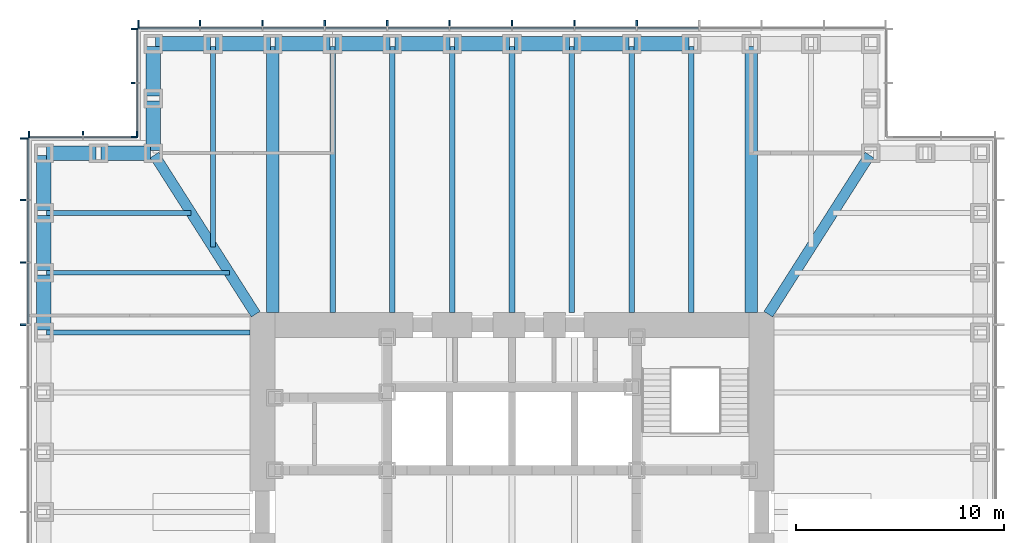
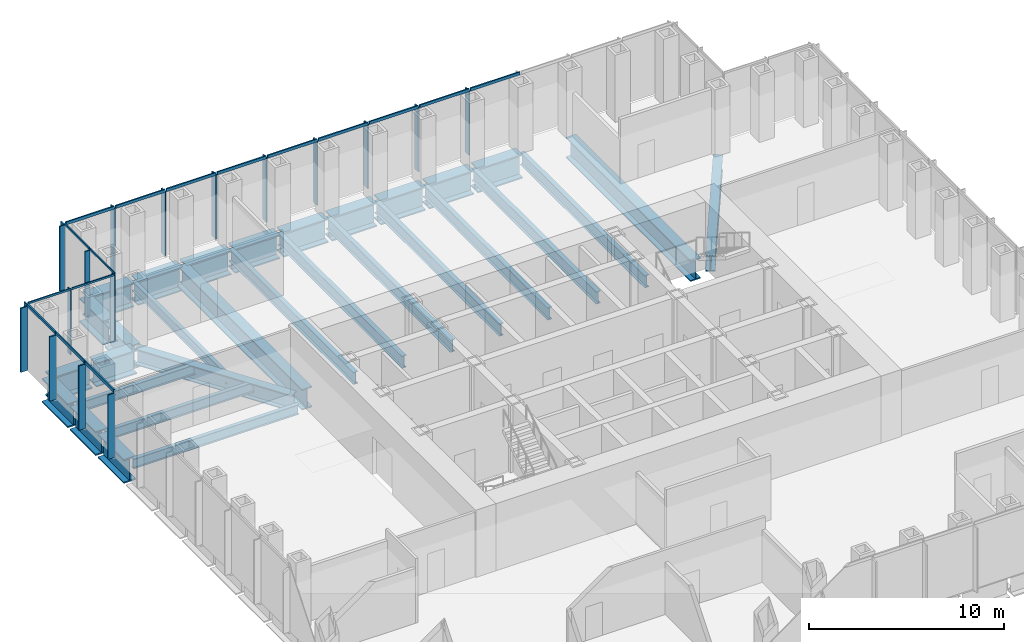
# One storey, part 5 of 16: 35 members, 31 beams, 4 elements without a shape of their own.
"""IFC4 building model written with IfcOpenShell, lengths in metres."""

from ifc_helpers import new_model, si_unit, direction, frame, origin, origin_2d, place, context, subcontext, project, spatial, rectangle, i_section, extrude, material, material_profile, profile_set, type_object, element, aggregate, save


model = new_model("IFC4")

# Units and contexts
model_context = context("Model", 3, precision=1e-05, world=origin(), true_north=direction((0.0, 1.0)))
body_context = subcontext(model_context, "Body", "Model", "MODEL_VIEW")
ifc_project = project(units=[si_unit("LENGTHUNIT", "METRE"), si_unit("AREAUNIT", "SQUARE_METRE"), si_unit("VOLUMEUNIT", "CUBIC_METRE"), si_unit("PLANEANGLEUNIT", "RADIAN"), si_unit("MASSUNIT", "GRAM", prefix="KILO")], contexts=[model_context])

# Site, building, storey
site_placement = place(None, origin())
site = spatial("IfcSite", under=ifc_project, at=site_placement, CompositionType="ELEMENT")
building_placement = place(site_placement, origin())
building = spatial("IfcBuilding", under=site, at=building_placement, Name="Daluyong Arena Tower", CompositionType="ELEMENT")
storey_placement = place(building_placement, frame((0.0, 0.0, 116.5)))
storey = spatial("IfcBuildingStorey", under=building, at=storey_placement, Name="L25", CompositionType="ELEMENT", Elevation=116.5)

# Curtain wall, members
ifc_material_1 = material(Name="Bronze anodised aluminium and glass", Category="aluminium")
curtain_wall_type_1 = type_object("IfcCurtainWallType", Name="Curtain wall CW2", PredefinedType="USERDEFINED", material=ifc_material_1)
curtain_wall_1_placement = place(storey_placement, origin())
curtain_wall_1 = element("IfcCurtainWall", 1, at=curtain_wall_1_placement, inside=storey, type_object=curtain_wall_type_1, Name="curtain wall L25 N", ObjectType="UNITISED CURTAIN WALL", PredefinedType="USERDEFINED")
ifc_material_2 = material(Name="Bronze anodised aluminium fin", Category="aluminium")
ifc_material_profile_1 = material_profile(ifc_material_2, rectangle(XDim=0.39990234375, YDim=0.080078125, at=origin_2d()))
ifc_profile_set_1 = profile_set([ifc_material_profile_1], Name="Bronze anodised aluminium fin")
member_type_1 = type_object("IfcMemberType", Name="CW2 bronze fin 400x80", PredefinedType="MULLION", material=ifc_profile_set_1)
member_1_placement = place(storey_placement, frame((62.0, 103.449951171875, 0.0), z_axis=(0.0, 0.0, 1.0), x_axis=(0.0, -1.0, 0.0)))
member_1 = element("IfcMember", 2, at=member_1_placement, type_object=member_type_1, Name="curtain wall L25 N fin 5", PredefinedType="MULLION", context=body_context, shape_type="SweptSolid", body=[
    extrude(rectangle(XDim=0.39990234375, YDim=0.080078125, at=origin_2d()), origin(), (0.0, 0.0, 1.0), 4.02001953125),
])
member_2_placement = place(storey_placement, frame((59.0, 103.449951171875, 0.0), z_axis=(0.0, 0.0, 1.0), x_axis=(0.0, -1.0, 0.0)))
member_2 = element("IfcMember", 3, at=member_2_placement, type_object=member_type_1, Name="curtain wall L25 N fin 6", PredefinedType="MULLION", context=body_context, shape_type="SweptSolid", body=[
    extrude(rectangle(XDim=0.39990234375, YDim=0.080078125, at=origin_2d()), origin(), (0.0, 0.0, 1.0), 4.02001953125),
])
member_3_placement = place(storey_placement, frame((56.0, 103.449951171875, 0.0), z_axis=(0.0, 0.0, 1.0), x_axis=(0.0, -1.0, 0.0)))
member_3 = element("IfcMember", 4, at=member_3_placement, type_object=member_type_1, Name="curtain wall L25 N fin 7", PredefinedType="MULLION", context=body_context, shape_type="SweptSolid", body=[
    extrude(rectangle(XDim=0.39990234375, YDim=0.080078125, at=origin_2d()), origin(), (0.0, 0.0, 1.0), 4.02001953125),
])
member_4_placement = place(storey_placement, frame((53.0, 103.449951171875, 0.0), z_axis=(0.0, 0.0, 1.0), x_axis=(0.0, -1.0, 0.0)))
member_4 = element("IfcMember", 5, at=member_4_placement, type_object=member_type_1, Name="curtain wall L25 N fin 8", PredefinedType="MULLION", context=body_context, shape_type="SweptSolid", body=[
    extrude(rectangle(XDim=0.39990234375, YDim=0.080078125, at=origin_2d()), origin(), (0.0, 0.0, 1.0), 4.02001953125),
])
member_5_placement = place(storey_placement, frame((50.0, 103.449951171875, 0.0), z_axis=(0.0, 0.0, 1.0), x_axis=(0.0, -1.0, 0.0)))
member_5 = element("IfcMember", 6, at=member_5_placement, type_object=member_type_1, Name="curtain wall L25 N fin 9", PredefinedType="MULLION", context=body_context, shape_type="SweptSolid", body=[
    extrude(rectangle(XDim=0.39990234375, YDim=0.080078125, at=origin_2d()), origin(), (0.0, 0.0, 1.0), 4.02001953125),
])
member_6_placement = place(storey_placement, frame((47.0, 103.449951171875, 0.0), z_axis=(0.0, 0.0, 1.0), x_axis=(0.0, -1.0, 0.0)))
member_6 = element("IfcMember", 7, at=member_6_placement, type_object=member_type_1, Name="curtain wall L25 N fin 10", PredefinedType="MULLION", context=body_context, shape_type="SweptSolid", body=[
    extrude(rectangle(XDim=0.39990234375, YDim=0.080078125, at=origin_2d()), origin(), (0.0, 0.0, 1.0), 4.02001953125),
])
member_7_placement = place(storey_placement, frame((44.0, 103.449951171875, 0.0), z_axis=(0.0, 0.0, 1.0), x_axis=(0.0, -1.0, 0.0)))
member_7 = element("IfcMember", 8, at=member_7_placement, type_object=member_type_1, Name="curtain wall L25 N fin 11", PredefinedType="MULLION", context=body_context, shape_type="SweptSolid", body=[
    extrude(rectangle(XDim=0.39990234375, YDim=0.080078125, at=origin_2d()), origin(), (0.0, 0.0, 1.0), 4.02001953125),
])
member_8_placement = place(storey_placement, frame((41.0, 103.449951171875, 0.0), z_axis=(0.0, 0.0, 1.0), x_axis=(0.0, -1.0, 0.0)))
member_8 = element("IfcMember", 9, at=member_8_placement, type_object=member_type_1, Name="curtain wall L25 N fin 12", PredefinedType="MULLION", context=body_context, shape_type="SweptSolid", body=[
    extrude(rectangle(XDim=0.39990234375, YDim=0.080078125, at=origin_2d()), origin(), (0.0, 0.0, 1.0), 4.02001953125),
])
member_9_placement = place(storey_placement, frame((38.0400390625, 103.449951171875, 0.0), z_axis=(0.0, 0.0, 1.0), x_axis=(0.0, -1.0, 0.0)))
member_9 = element("IfcMember", 10, at=member_9_placement, type_object=member_type_1, Name="curtain wall L25 N fin 13", PredefinedType="MULLION", context=body_context, shape_type="SweptSolid", body=[
    extrude(rectangle(XDim=0.39990234375, YDim=0.080078125, at=origin_2d()), origin(), (0.0, 0.0, 1.0), 4.02001953125),
])

curtain_wall_2_placement = place(storey_placement, origin())
curtain_wall_2 = element("IfcCurtainWall", 11, at=curtain_wall_2_placement, inside=storey, type_object=curtain_wall_type_1, Name="curtain wall L25 W", ObjectType="UNITISED CURTAIN WALL", PredefinedType="USERDEFINED")
member_10_placement = place(storey_placement, frame((32.550048828125, 97.9599609375, 0.0), z_axis=(0.0, 0.0, 1.0), x_axis=(1.0, 0.0, 0.0)))
member_10 = element("IfcMember", 12, at=member_10_placement, type_object=member_type_1, Name="curtain wall L25 W fin 1", PredefinedType="MULLION", context=body_context, shape_type="SweptSolid", body=[
    extrude(rectangle(XDim=0.39990234375, YDim=0.080078125, at=origin_2d()), origin(), (0.0, 0.0, 1.0), 4.02001953125),
])
member_11_placement = place(storey_placement, frame((32.550048828125, 95.0, 0.0), z_axis=(0.0, 0.0, 1.0), x_axis=(1.0, 0.0, 0.0)))
member_11 = element("IfcMember", 13, at=member_11_placement, type_object=member_type_1, Name="curtain wall L25 W fin 2", PredefinedType="MULLION", context=body_context, shape_type="SweptSolid", body=[
    extrude(rectangle(XDim=0.39990234375, YDim=0.080078125, at=origin_2d()), origin(), (0.0, 0.0, 1.0), 4.02001953125),
])
member_12_placement = place(storey_placement, frame((32.550048828125, 92.0, 0.0), z_axis=(0.0, 0.0, 1.0), x_axis=(1.0, 0.0, 0.0)))
member_12 = element("IfcMember", 14, at=member_12_placement, type_object=member_type_1, Name="curtain wall L25 W fin 3", PredefinedType="MULLION", context=body_context, shape_type="SweptSolid", body=[
    extrude(rectangle(XDim=0.39990234375, YDim=0.080078125, at=origin_2d()), origin(), (0.0, 0.0, 1.0), 4.02001953125),
])
member_13_placement = place(storey_placement, frame((32.550048828125, 89.0, 0.0), z_axis=(0.0, 0.0, 1.0), x_axis=(1.0, 0.0, 0.0)))
member_13 = element("IfcMember", 15, at=member_13_placement, type_object=member_type_1, Name="curtain wall L25 W fin 4", PredefinedType="MULLION", context=body_context, shape_type="SweptSolid", body=[
    extrude(rectangle(XDim=0.39990234375, YDim=0.080078125, at=origin_2d()), origin(), (0.0, 0.0, 1.0), 4.02001953125),
])

# Member
ifc_material_3 = material(Name="Bronze anodised aluminium", Category="aluminium")
ifc_material_profile_2 = material_profile(ifc_material_3, rectangle(XDim=0.080078125, YDim=0.179931640625, at=origin_2d()))
ifc_profile_set_2 = profile_set([ifc_material_profile_2], Name="Bronze anodised aluminium")
member_type_2 = type_object("IfcMemberType", Name="CW2 stack transom 180x80", PredefinedType="USERDEFINED", material=ifc_profile_set_2)
member_14_placement = place(storey_placement, frame((64.9599609375, 103.25, 4.110107421875), z_axis=(-1.0, 0.0, 0.0), x_axis=(0.0, -1.0, 0.0)))
member_14 = element("IfcMember", 16, at=member_14_placement, type_object=member_type_2, Name="curtain wall L25 N transom 4", ObjectType="TRANSOM", PredefinedType="USERDEFINED", context=body_context, shape_type="SweptSolid", body=[
    extrude(rectangle(XDim=0.080078125, YDim=0.179931640625, at=origin_2d()), origin(), (0.0, 0.0, 1.0), 2.919921875),
])

member_15_placement = place(storey_placement, frame((61.9599609375, 103.25, 4.110107421875), z_axis=(-1.0, 0.0, 0.0), x_axis=(0.0, -1.0, 0.0)))
member_15 = element("IfcMember", 17, at=member_15_placement, type_object=member_type_2, Name="curtain wall L25 N transom 5", ObjectType="TRANSOM", PredefinedType="USERDEFINED", context=body_context, shape_type="SweptSolid", body=[
    extrude(rectangle(XDim=0.080078125, YDim=0.179931640625, at=origin_2d()), origin(), (0.0, 0.0, 1.0), 2.919921875),
])

member_16_placement = place(storey_placement, frame((58.9599609375, 103.25, 4.110107421875), z_axis=(-1.0, 0.0, 0.0), x_axis=(0.0, -1.0, 0.0)))
member_16 = element("IfcMember", 18, at=member_16_placement, type_object=member_type_2, Name="curtain wall L25 N transom 6", ObjectType="TRANSOM", PredefinedType="USERDEFINED", context=body_context, shape_type="SweptSolid", body=[
    extrude(rectangle(XDim=0.080078125, YDim=0.179931640625, at=origin_2d()), origin(), (0.0, 0.0, 1.0), 2.919921875),
])

member_17_placement = place(storey_placement, frame((55.9599609375, 103.25, 4.110107421875), z_axis=(-1.0, 0.0, 0.0), x_axis=(0.0, -1.0, 0.0)))
member_17 = element("IfcMember", 19, at=member_17_placement, type_object=member_type_2, Name="curtain wall L25 N transom 7", ObjectType="TRANSOM", PredefinedType="USERDEFINED", context=body_context, shape_type="SweptSolid", body=[
    extrude(rectangle(XDim=0.080078125, YDim=0.179931640625, at=origin_2d()), origin(), (0.0, 0.0, 1.0), 2.919921875),
])

member_18_placement = place(storey_placement, frame((52.9599609375, 103.25, 4.110107421875), z_axis=(-1.0, 0.0, 0.0), x_axis=(0.0, -1.0, 0.0)))
member_18 = element("IfcMember", 20, at=member_18_placement, type_object=member_type_2, Name="curtain wall L25 N transom 8", ObjectType="TRANSOM", PredefinedType="USERDEFINED", context=body_context, shape_type="SweptSolid", body=[
    extrude(rectangle(XDim=0.080078125, YDim=0.179931640625, at=origin_2d()), origin(), (0.0, 0.0, 1.0), 2.919921875),
])

member_19_placement = place(storey_placement, frame((49.9599609375, 103.25, 4.110107421875), z_axis=(-1.0, 0.0, 0.0), x_axis=(0.0, -1.0, 0.0)))
member_19 = element("IfcMember", 21, at=member_19_placement, type_object=member_type_2, Name="curtain wall L25 N transom 9", ObjectType="TRANSOM", PredefinedType="USERDEFINED", context=body_context, shape_type="SweptSolid", body=[
    extrude(rectangle(XDim=0.080078125, YDim=0.179931640625, at=origin_2d()), origin(), (0.0, 0.0, 1.0), 2.919921875),
])

member_20_placement = place(storey_placement, frame((46.9599609375, 103.25, 4.110107421875), z_axis=(-1.0, 0.0, 0.0), x_axis=(0.0, -1.0, 0.0)))
member_20 = element("IfcMember", 22, at=member_20_placement, type_object=member_type_2, Name="curtain wall L25 N transom 10", ObjectType="TRANSOM", PredefinedType="USERDEFINED", context=body_context, shape_type="SweptSolid", body=[
    extrude(rectangle(XDim=0.080078125, YDim=0.179931640625, at=origin_2d()), origin(), (0.0, 0.0, 1.0), 2.919921875),
])

member_21_placement = place(storey_placement, frame((43.9599609375, 103.25, 4.110107421875), z_axis=(-1.0, 0.0, 0.0), x_axis=(0.0, -1.0, 0.0)))
member_21 = element("IfcMember", 23, at=member_21_placement, type_object=member_type_2, Name="curtain wall L25 N transom 11", ObjectType="TRANSOM", PredefinedType="USERDEFINED", context=body_context, shape_type="SweptSolid", body=[
    extrude(rectangle(XDim=0.080078125, YDim=0.179931640625, at=origin_2d()), origin(), (0.0, 0.0, 1.0), 2.919921875),
])

member_22_placement = place(storey_placement, frame((40.9599609375, 103.25, 4.110107421875), z_axis=(-1.0, 0.0, 0.0), x_axis=(0.0, -1.0, 0.0)))
member_22 = element("IfcMember", 24, at=member_22_placement, type_object=member_type_2, Name="curtain wall L25 N transom 12", ObjectType="TRANSOM", PredefinedType="USERDEFINED", context=body_context, shape_type="SweptSolid", body=[
    extrude(rectangle(XDim=0.080078125, YDim=0.179931640625, at=origin_2d()), origin(), (0.0, 0.0, 1.0), 2.8798828125),
])

aggregate(curtain_wall_1, [member_1, member_2, member_3, member_4, member_5, member_6, member_7, member_8, member_9, member_14, member_15, member_16, member_17, member_18, member_19, member_20, member_21, member_22])

member_23_placement = place(storey_placement, frame((32.75, 97.919921875, 4.110107421875), z_axis=(0.0, -1.0, 0.0), x_axis=(1.0, 0.0, 0.0)))
member_23 = element("IfcMember", 25, at=member_23_placement, type_object=member_type_2, Name="curtain wall L25 W transom 1", ObjectType="TRANSOM", PredefinedType="USERDEFINED", context=body_context, shape_type="SweptSolid", body=[
    extrude(rectangle(XDim=0.080078125, YDim=0.179931640625, at=origin_2d()), origin(), (0.0, 0.0, 1.0), 2.8798828125),
])

member_24_placement = place(storey_placement, frame((32.75, 94.9599609375, 4.110107421875), z_axis=(0.0, -1.0, 0.0), x_axis=(1.0, 0.0, 0.0)))
member_24 = element("IfcMember", 26, at=member_24_placement, type_object=member_type_2, Name="curtain wall L25 W transom 2", ObjectType="TRANSOM", PredefinedType="USERDEFINED", context=body_context, shape_type="SweptSolid", body=[
    extrude(rectangle(XDim=0.080078125, YDim=0.179931640625, at=origin_2d()), origin(), (0.0, 0.0, 1.0), 2.919921875),
])

member_25_placement = place(storey_placement, frame((32.75, 91.9599609375, 4.110107421875), z_axis=(0.0, -1.0, 0.0), x_axis=(1.0, 0.0, 0.0)))
member_25 = element("IfcMember", 27, at=member_25_placement, type_object=member_type_2, Name="curtain wall L25 W transom 3", ObjectType="TRANSOM", PredefinedType="USERDEFINED", context=body_context, shape_type="SweptSolid", body=[
    extrude(rectangle(XDim=0.080078125, YDim=0.179931640625, at=origin_2d()), origin(), (0.0, 0.0, 1.0), 2.919921875),
])

aggregate(curtain_wall_2, [member_10, member_11, member_12, member_13, member_23, member_24, member_25])

# Curtain wall, members
ifc_material_4 = material(Name="Bronze anodised aluminium and glass", Category="aluminium")
curtain_wall_type_2 = type_object("IfcCurtainWallType", Name="Curtain wall CW7", PredefinedType="USERDEFINED", material=ifc_material_4)
curtain_wall_3_placement = place(storey_placement, origin())
curtain_wall_3 = element("IfcCurtainWall", 28, at=curtain_wall_3_placement, inside=storey, type_object=curtain_wall_type_2, Name="curtain wall L25 NW-W", ObjectType="UNITISED CURTAIN WALL", PredefinedType="USERDEFINED")
ifc_material_5 = material(Name="Bronze anodised aluminium fin", Category="aluminium")
ifc_material_profile_3 = material_profile(ifc_material_5, rectangle(XDim=0.300048828125, YDim=0.06005859375, at=origin_2d()))
ifc_profile_set_3 = profile_set([ifc_material_profile_3], Name="Bronze anodised aluminium fin")
member_type_3 = type_object("IfcMemberType", Name="CW7 bronze fin 300x60", PredefinedType="MULLION", material=ifc_profile_set_3)
member_26_placement = place(storey_placement, frame((37.85009765625, 103.219970703125, 0.0), z_axis=(0.0, 0.0, 1.0), x_axis=(1.0, 0.0, 0.0)))
member_26 = element("IfcMember", 29, at=member_26_placement, type_object=member_type_3, Name="curtain wall L25 NW-W fin 1", PredefinedType="MULLION", context=body_context, shape_type="SweptSolid", body=[
    extrude(rectangle(XDim=0.300048828125, YDim=0.06005859375, at=origin_2d()), origin(), (0.0, 0.0, 1.0), 4.080078125),
])
member_27_placement = place(storey_placement, frame((37.85009765625, 100.625, 0.0), z_axis=(0.0, 0.0, 1.0), x_axis=(1.0, 0.0, 0.0)))
member_27 = element("IfcMember", 30, at=member_27_placement, type_object=member_type_3, Name="curtain wall L25 NW-W fin 2", PredefinedType="MULLION", context=body_context, shape_type="SweptSolid", body=[
    extrude(rectangle(XDim=0.300048828125, YDim=0.06005859375, at=origin_2d()), origin(), (0.0, 0.0, 1.0), 4.080078125),
])
member_28_placement = place(storey_placement, frame((37.85009765625, 98.030029296875, 0.0), z_axis=(0.0, 0.0, 1.0), x_axis=(1.0, 0.0, 0.0)))
member_28 = element("IfcMember", 31, at=member_28_placement, type_object=member_type_3, Name="curtain wall L25 NW-W fin 3", PredefinedType="MULLION", context=body_context, shape_type="SweptSolid", body=[
    extrude(rectangle(XDim=0.300048828125, YDim=0.06005859375, at=origin_2d()), origin(), (0.0, 0.0, 1.0), 4.080078125),
])

curtain_wall_4_placement = place(storey_placement, origin())
curtain_wall_4 = element("IfcCurtainWall", 32, at=curtain_wall_4_placement, inside=storey, type_object=curtain_wall_type_2, Name="curtain wall L25 NW-N", ObjectType="UNITISED CURTAIN WALL", PredefinedType="USERDEFINED")
member_29_placement = place(storey_placement, frame((37.969970703125, 98.14990234375, 0.0), z_axis=(0.0, 0.0, 1.0), x_axis=(0.0, -1.0, 0.0)))
member_29 = element("IfcMember", 33, at=member_29_placement, type_object=member_type_3, Name="curtain wall L25 NW-N fin 1", PredefinedType="MULLION", context=body_context, shape_type="SweptSolid", body=[
    extrude(rectangle(XDim=0.300048828125, YDim=0.06005859375, at=origin_2d()), origin(), (0.0, 0.0, 1.0), 4.080078125),
])
member_30_placement = place(storey_placement, frame((35.375, 98.14990234375, 0.0), z_axis=(0.0, 0.0, 1.0), x_axis=(0.0, -1.0, 0.0)))
member_30 = element("IfcMember", 34, at=member_30_placement, type_object=member_type_3, Name="curtain wall L25 NW-N fin 2", PredefinedType="MULLION", context=body_context, shape_type="SweptSolid", body=[
    extrude(rectangle(XDim=0.300048828125, YDim=0.06005859375, at=origin_2d()), origin(), (0.0, 0.0, 1.0), 4.080078125),
])
member_31_placement = place(storey_placement, frame((32.780029296875, 98.14990234375, 0.0), z_axis=(0.0, 0.0, 1.0), x_axis=(0.0, -1.0, 0.0)))
member_31 = element("IfcMember", 35, at=member_31_placement, type_object=member_type_3, Name="curtain wall L25 NW-N fin 3", PredefinedType="MULLION", context=body_context, shape_type="SweptSolid", body=[
    extrude(rectangle(XDim=0.300048828125, YDim=0.06005859375, at=origin_2d()), origin(), (0.0, 0.0, 1.0), 4.080078125),
])

# Member
ifc_material_6 = material(Name="Bronze anodised aluminium", Category="aluminium")
ifc_material_profile_4 = material_profile(ifc_material_6, rectangle(XDim=0.06005859375, YDim=0.1201171875, at=origin_2d()))
ifc_profile_set_4 = profile_set([ifc_material_profile_4], Name="Bronze anodised aluminium")
member_type_4 = type_object("IfcMemberType", Name="CW7 stack transom 120x60", PredefinedType="USERDEFINED", material=ifc_profile_set_4)
member_32_placement = place(storey_placement, frame((38.0, 103.18994140625, 4.139892578125), z_axis=(0.0, -1.0, 0.0), x_axis=(1.0, 0.0, 0.0)))
member_32 = element("IfcMember", 36, at=member_32_placement, type_object=member_type_4, Name="curtain wall L25 NW-W transom 1", ObjectType="TRANSOM", PredefinedType="USERDEFINED", context=body_context, shape_type="SweptSolid", body=[
    extrude(rectangle(XDim=0.06005859375, YDim=0.1201171875, at=origin_2d()), origin(), (0.0, 0.0, 1.0), 2.534912109375),
])

member_33_placement = place(storey_placement, frame((38.0, 100.594970703125, 4.139892578125), z_axis=(0.0, -1.0, 0.0), x_axis=(1.0, 0.0, 0.0)))
member_33 = element("IfcMember", 37, at=member_33_placement, type_object=member_type_4, Name="curtain wall L25 NW-W transom 2", ObjectType="TRANSOM", PredefinedType="USERDEFINED", context=body_context, shape_type="SweptSolid", body=[
    extrude(rectangle(XDim=0.06005859375, YDim=0.1201171875, at=origin_2d()), origin(), (0.0, 0.0, 1.0), 2.534912109375),
])

aggregate(curtain_wall_3, [member_26, member_27, member_28, member_32, member_33])

member_34_placement = place(storey_placement, frame((37.93994140625, 98.0, 4.139892578125), z_axis=(-1.0, 0.0, 0.0), x_axis=(0.0, -1.0, 0.0)))
member_34 = element("IfcMember", 38, at=member_34_placement, type_object=member_type_4, Name="curtain wall L25 NW-N transom 1", ObjectType="TRANSOM", PredefinedType="USERDEFINED", context=body_context, shape_type="SweptSolid", body=[
    extrude(rectangle(XDim=0.06005859375, YDim=0.1201171875, at=origin_2d()), origin(), (0.0, 0.0, 1.0), 2.534912109375),
])

member_35_placement = place(storey_placement, frame((35.344970703125, 98.0, 4.139892578125), z_axis=(-1.0, 0.0, 0.0), x_axis=(0.0, -1.0, 0.0)))
member_35 = element("IfcMember", 39, at=member_35_placement, type_object=member_type_4, Name="curtain wall L25 NW-N transom 2", ObjectType="TRANSOM", PredefinedType="USERDEFINED", context=body_context, shape_type="SweptSolid", body=[
    extrude(rectangle(XDim=0.06005859375, YDim=0.1201171875, at=origin_2d()), origin(), (0.0, 0.0, 1.0), 2.534912109375),
])

aggregate(curtain_wall_4, [member_29, member_30, member_31, member_34, member_35])

# Beams
ifc_material_7 = material(Name="Steel ASTM A572 Grade 50", Category="steel")
ifc_material_profile_5 = material_profile(ifc_material_7, i_section(OverallWidth=0.5, OverallDepth=1.0, WebThickness=0.03, FlangeThickness=0.06, at=origin_2d()))
ifc_profile_set_5 = profile_set([ifc_material_profile_5], Name="Steel ASTM A572 Grade 50")
beam_type_1 = type_object("IfcBeamType", Name="Corner girder TB1000X500", PredefinedType="BEAM", material=ifc_profile_set_5)
for number, where, z_axis, x_axis, name in (
    (40, (73.188232421875, 97.153076171875, -0.659912109375), (-0.536872006459, -0.843663705916, 0.0), (0.843663705916, -0.536872006459, 0.0), "corner girder DG2"),
    (41, (38.811767578125, 97.153076171875, -0.659912109375), (0.536872006459, -0.843663705916, 0.0), (0.843663705916, 0.536872006459, 0.0), "corner girder DG2"),
):
    element("IfcBeam", number, at=place(storey_placement, frame(where, z_axis=z_axis, x_axis=x_axis)), inside=storey, type_object=beam_type_1, Name=name, PredefinedType="BEAM", context=body_context, shape_type="SweptSolid", body=[
        extrude(i_section(OverallWidth=0.5, OverallDepth=1.0, WebThickness=0.03, FlangeThickness=0.06, at=origin_2d()), origin(), (0.0, 0.0, 1.0), 9.06396484375),
    ])
ifc_material_8 = material(Name="Steel ASTM A572 Grade 50", Category="steel")
ifc_material_profile_6 = material_profile(ifc_material_8, i_section(OverallWidth=0.60009765625, OverallDepth=1.300048828125, WebThickness=0.035, FlangeThickness=0.07, at=origin_2d()))
ifc_profile_set_6 = profile_set([ifc_material_profile_6], Name="Steel ASTM A572 Grade 50")
beam_type_2 = type_object("IfcBeamType", Name="Floor beam TB1300X600", PredefinedType="BEAM", material=ifc_profile_set_6)
for number, where, z_axis, x_axis, name in (
    (42, (67.5, 102.385009765625, -0.81005859375), (0.0, -1.0, 0.0), (1.0, 0.0, 0.0), "floor beam FB7"),
    (43, (44.5, 102.385009765625, -0.81005859375), (0.0, -1.0, 0.0), (1.0, 0.0, 0.0), "floor beam FB7"),
):
    element("IfcBeam", number, at=place(storey_placement, frame(where, z_axis=z_axis, x_axis=x_axis)), inside=storey, type_object=beam_type_2, Name=name, PredefinedType="BEAM", context=body_context, shape_type="SweptSolid", body=[
        extrude(i_section(OverallWidth=0.60009765625, OverallDepth=1.300048828125, WebThickness=0.035, FlangeThickness=0.07, at=origin_2d()), origin(), (0.0, 0.0, 1.0), 12.784912109375),
    ])
ifc_material_9 = material(Name="Steel ASTM A992 Grade 50", Category="steel")
ifc_material_profile_7 = material_profile(ifc_material_9, i_section(OverallWidth=0.22900390625, OverallDepth=0.612060546875, WebThickness=0.011962890625, FlangeThickness=0.01953125, at=origin_2d()))
ifc_profile_set_7 = profile_set([ifc_material_profile_7], Name="Steel ASTM A992 Grade 50")
beam_type_3 = type_object("IfcBeamType", Name="Floor beam W24X84", PredefinedType="BEAM", material=ifc_profile_set_7)
beam_1_placement = place(storey_placement, frame((41.625, 102.385009765625, -0.466064453125), z_axis=(0.0, -1.0, 0.0), x_axis=(1.0, 0.0, 0.0)))
element("IfcBeam", 44, at=beam_1_placement, inside=storey, type_object=beam_type_3, Name="floor beam FB3", PredefinedType="BEAM", context=body_context, shape_type="SweptSolid", body=[
    extrude(i_section(OverallWidth=0.22900390625, OverallDepth=0.612060546875, WebThickness=0.011962890625, FlangeThickness=0.01953125, at=origin_2d()), origin(), (0.0, 0.0, 1.0), 9.65283203125),
])
beam_2_placement = place(storey_placement, frame((33.614990234375, 94.375, -0.466064453125), z_axis=(1.0, 0.0, 0.0), x_axis=(0.0, 1.0, 0.0)))
element("IfcBeam", 45, at=beam_2_placement, inside=storey, type_object=beam_type_3, Name="floor beam FB3", PredefinedType="BEAM", context=body_context, shape_type="SweptSolid", body=[
    extrude(i_section(OverallWidth=0.22900390625, OverallDepth=0.612060546875, WebThickness=0.011962890625, FlangeThickness=0.01953125, at=origin_2d()), origin(), (0.0, 0.0, 1.0), 6.964599609375),
])
beam_3_placement = place(storey_placement, frame((33.614990234375, 91.5, -0.466064453125), z_axis=(1.0, 0.0, 0.0), x_axis=(0.0, 1.0, 0.0)))
element("IfcBeam", 46, at=beam_3_placement, inside=storey, type_object=beam_type_3, Name="floor beam FB3", PredefinedType="BEAM", context=body_context, shape_type="SweptSolid", body=[
    extrude(i_section(OverallWidth=0.22900390625, OverallDepth=0.612060546875, WebThickness=0.011962890625, FlangeThickness=0.01953125, at=origin_2d()), origin(), (0.0, 0.0, 1.0), 8.794189453125),
])
beam_4_placement = place(storey_placement, frame((33.614990234375, 88.625, -0.466064453125), z_axis=(1.0, 0.0, 0.0), x_axis=(0.0, 1.0, 0.0)))
element("IfcBeam", 47, at=beam_4_placement, inside=storey, type_object=beam_type_3, Name="floor beam FB3", PredefinedType="BEAM", context=body_context, shape_type="SweptSolid", body=[
    extrude(i_section(OverallWidth=0.22900390625, OverallDepth=0.612060546875, WebThickness=0.011962890625, FlangeThickness=0.01953125, at=origin_2d()), origin(), (0.0, 0.0, 1.0), 9.784912109375),
])
ifc_material_10 = material(Name="Steel ASTM A992 Grade 50", Category="steel")
ifc_material_profile_8 = material_profile(ifc_material_10, i_section(OverallWidth=0.2666015625, OverallDepth=0.761962890625, WebThickness=0.014404296875, FlangeThickness=0.021484375, at=origin_2d()))
ifc_profile_set_8 = profile_set([ifc_material_profile_8], Name="Steel ASTM A992 Grade 50")
beam_type_4 = type_object("IfcBeamType", Name="Floor beam W30X116", PredefinedType="BEAM", material=ifc_profile_set_8)
for number, where, z_axis, x_axis, name in (
    (48, (64.625, 102.385009765625, -0.541015625), (0.0, -1.0, 0.0), (1.0, 0.0, 0.0), "floor beam FB4"),
    (49, (61.75, 102.385009765625, -0.541015625), (0.0, -1.0, 0.0), (1.0, 0.0, 0.0), "floor beam FB4"),
    (50, (58.875, 102.385009765625, -0.541015625), (0.0, -1.0, 0.0), (1.0, 0.0, 0.0), "floor beam FB4"),
    (51, (56.0, 102.385009765625, -0.541015625), (0.0, -1.0, 0.0), (1.0, 0.0, 0.0), "floor beam FB4"),
    (52, (53.125, 102.385009765625, -0.541015625), (0.0, -1.0, 0.0), (1.0, 0.0, 0.0), "floor beam FB4"),
    (53, (50.25, 102.385009765625, -0.541015625), (0.0, -1.0, 0.0), (1.0, 0.0, 0.0), "floor beam FB4"),
    (54, (47.375, 102.385009765625, -0.541015625), (0.0, -1.0, 0.0), (1.0, 0.0, 0.0), "floor beam FB4"),
):
    element("IfcBeam", number, at=place(storey_placement, frame(where, z_axis=z_axis, x_axis=x_axis)), inside=storey, type_object=beam_type_4, Name=name, PredefinedType="BEAM", context=body_context, shape_type="SweptSolid", body=[
        extrude(i_section(OverallWidth=0.2666015625, OverallDepth=0.761962890625, WebThickness=0.014404296875, FlangeThickness=0.021484375, at=origin_2d()), origin(), (0.0, 0.0, 1.0), 12.784912109375),
    ])
ifc_material_11 = material(Name="Steel ASTM A572 Grade 50", Category="steel")
ifc_material_profile_9 = material_profile(ifc_material_11, i_section(OverallWidth=0.699951171875, OverallDepth=1.5, WebThickness=0.04, FlangeThickness=0.08, at=origin_2d()))
ifc_profile_set_9 = profile_set([ifc_material_profile_9], Name="Steel ASTM A572 Grade 50")
beam_type_5 = type_object("IfcBeamType", Name="Spandrel Z2 PG1500X700", PredefinedType="SPANDREL", material=ifc_profile_set_9)
for number, where, z_axis, x_axis, name in (
    (55, (64.510009765625, 102.5, -0.909912109375), (-1.0, 0.0, 0.0), (0.0, -1.0, 0.0), "spandrel z2 SB6"),
    (56, (61.635009765625, 102.5, -0.909912109375), (-1.0, 0.0, 0.0), (0.0, -1.0, 0.0), "spandrel z2 SB6"),
    (57, (58.760009765625, 102.5, -0.909912109375), (-1.0, 0.0, 0.0), (0.0, -1.0, 0.0), "spandrel z2 SB6"),
    (58, (55.885009765625, 102.5, -0.909912109375), (-1.0, 0.0, 0.0), (0.0, -1.0, 0.0), "spandrel z2 SB6"),
    (59, (53.010009765625, 102.5, -0.909912109375), (-1.0, 0.0, 0.0), (0.0, -1.0, 0.0), "spandrel z2 SB6"),
    (60, (50.135009765625, 102.5, -0.909912109375), (-1.0, 0.0, 0.0), (0.0, -1.0, 0.0), "spandrel z2 SB6"),
    (61, (47.260009765625, 102.5, -0.909912109375), (-1.0, 0.0, 0.0), (0.0, -1.0, 0.0), "spandrel z2 SB6"),
    (62, (44.385009765625, 102.5, -0.909912109375), (-1.0, 0.0, 0.0), (0.0, -1.0, 0.0), "spandrel z2 SB6"),
    (63, (41.510009765625, 102.5, -0.909912109375), (-1.0, 0.0, 0.0), (0.0, -1.0, 0.0), "spandrel z2 SB6"),
):
    element("IfcBeam", number, at=place(storey_placement, frame(where, z_axis=z_axis, x_axis=x_axis)), inside=storey, type_object=beam_type_5, Name=name, PredefinedType="SPANDREL", context=body_context, shape_type="SweptSolid", body=[
        extrude(i_section(OverallWidth=0.699951171875, OverallDepth=1.5, WebThickness=0.04, FlangeThickness=0.08, at=origin_2d()), origin(), (0.0, 0.0, 1.0), 2.64501953125),
    ])
for number, where, z_axis, x_axis, name in (
    (64, (38.75, 102.385009765625, -0.909912109375), (0.0, -1.0, 0.0), (1.0, 0.0, 0.0), "spandrel z2 SB6"),
    (65, (38.75, 99.760009765625, -0.909912109375), (0.0, -1.0, 0.0), (1.0, 0.0, 0.0), "spandrel z2 SB6"),
    (66, (38.635009765625, 97.25, -0.909912109375), (-1.0, 0.0, 0.0), (0.0, -1.0, 0.0), "spandrel z2 SB6"),
    (67, (36.010009765625, 97.25, -0.909912109375), (-1.0, 0.0, 0.0), (0.0, -1.0, 0.0), "spandrel z2 SB6"),
):
    element("IfcBeam", number, at=place(storey_placement, frame(where, z_axis=z_axis, x_axis=x_axis)), inside=storey, type_object=beam_type_5, Name=name, PredefinedType="SPANDREL", context=body_context, shape_type="SweptSolid", body=[
        extrude(i_section(OverallWidth=0.699951171875, OverallDepth=1.5, WebThickness=0.04, FlangeThickness=0.08, at=origin_2d()), origin(), (0.0, 0.0, 1.0), 2.39501953125),
    ])
for number, where, z_axis, x_axis, name in (
    (68, (33.5, 97.135009765625, -0.909912109375), (0.0, -1.0, 0.0), (1.0, 0.0, 0.0), "spandrel z2 SB6"),
    (69, (33.5, 94.260009765625, -0.909912109375), (0.0, -1.0, 0.0), (1.0, 0.0, 0.0), "spandrel z2 SB6"),
    (70, (33.5, 91.385009765625, -0.909912109375), (0.0, -1.0, 0.0), (1.0, 0.0, 0.0), "spandrel z2 SB6"),
):
    element("IfcBeam", number, at=place(storey_placement, frame(where, z_axis=z_axis, x_axis=x_axis)), inside=storey, type_object=beam_type_5, Name=name, PredefinedType="SPANDREL", context=body_context, shape_type="SweptSolid", body=[
        extrude(i_section(OverallWidth=0.699951171875, OverallDepth=1.5, WebThickness=0.04, FlangeThickness=0.08, at=origin_2d()), origin(), (0.0, 0.0, 1.0), 2.64501953125),
    ])

save(model, "model.ifc")
